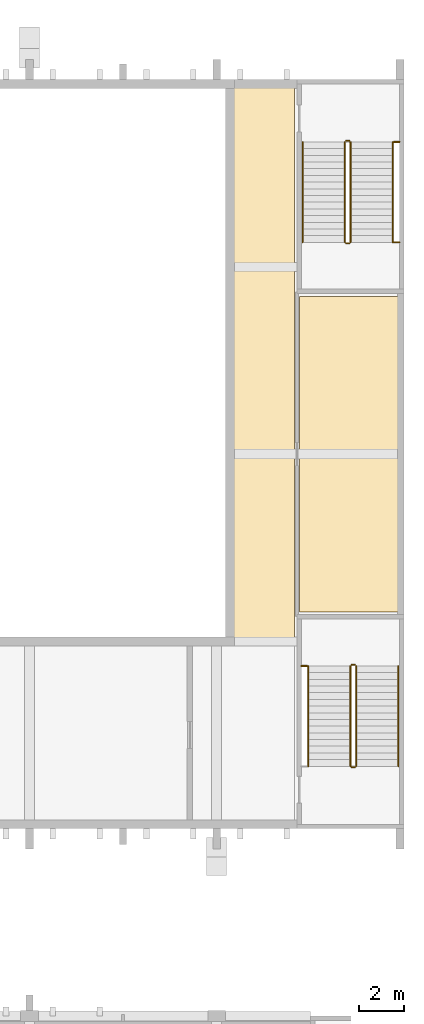
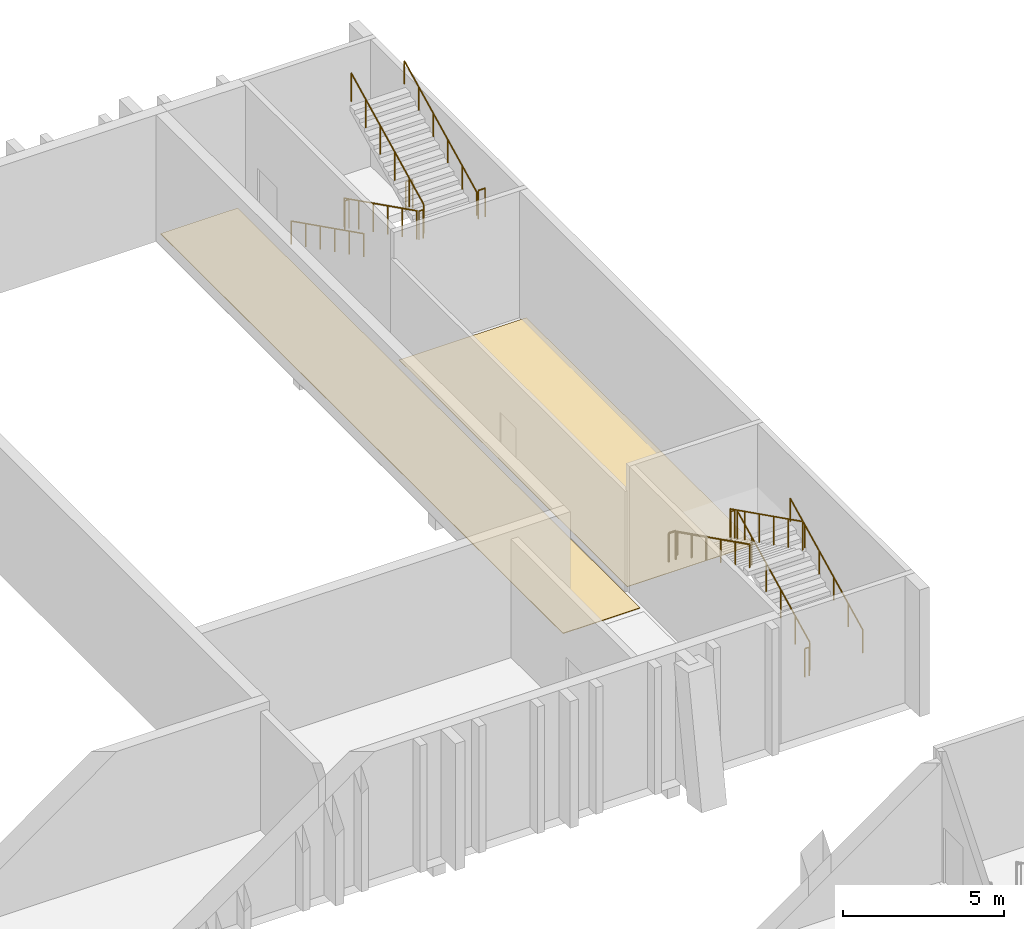
# One storey, part 91 of 91: 15 railings, 2 coverings.
"""IFC4 building model written with IfcOpenShell, lengths in metres."""

from ifc_helpers import new_model, si_unit, direction, frame, origin, origin_2d, place, context, subcontext, project, spatial, polyline, circle, outline, extrude, material, layer, layer_set, type_object, element, save


model = new_model("IFC4")

# Units and contexts
model_context = context("Model", 3, precision=1e-05, world=origin(), true_north=direction((0.0, 1.0)))
body_context = subcontext(model_context, "Body", "Model", "MODEL_VIEW")
ifc_project = project(units=[si_unit("LENGTHUNIT", "METRE"), si_unit("AREAUNIT", "SQUARE_METRE"), si_unit("VOLUMEUNIT", "CUBIC_METRE"), si_unit("PLANEANGLEUNIT", "RADIAN"), si_unit("MASSUNIT", "GRAM", prefix="KILO")], contexts=[model_context])

# Site, building, storey
site_placement = place(None, origin())
site = spatial("IfcSite", under=ifc_project, at=site_placement, CompositionType="ELEMENT")
building_placement = place(site_placement, origin())
building = spatial("IfcBuilding", under=site, at=building_placement, Name="Kiln Court Media Centre", CompositionType="ELEMENT")
storey_placement = place(building_placement, frame((0.0, 0.0, 5.39990234375)))
storey = spatial("IfcBuildingStorey", under=building, at=storey_placement, Name="L01", CompositionType="ELEMENT", Elevation=5.39990234375)

# Coverings
ifc_material_1 = material(Name="Carpet tile")
ifc_layer_1 = layer(ifc_material_1, 0.014892578125)
ifc_layer_set_1 = layer_set([ifc_layer_1], Name="Carpet tile floor finish 15")
covering_type_1 = type_object("IfcCoveringType", Name="Carpet tile floor finish 15", PredefinedType="FLOORING", material=ifc_layer_set_1)
covering_1_placement = place(storey_placement, origin())
element("IfcCovering", 1, at=covering_1_placement, inside=storey, type_object=covering_type_1, Name="Dressing Rooms floor finish", PredefinedType="FLOORING", context=body_context, shape_type="SweptSolid", body=[
    extrude(outline(polyline([(167.8798828125, 43.320068359375), (167.8798828125, 57.47998046875), (163.320068359375, 57.47998046875), (163.320068359375, 43.320068359375), (167.8798828125, 43.320068359375)])), origin(), (0.0, 0.0, 1.0), 0.01513671875),
])
ifc_material_2 = material(Name="Terrazzo")
ifc_layer_2 = layer(ifc_material_2, 0.02490234375)
ifc_layer_set_2 = layer_set([ifc_layer_2], Name="Polished terrazzo floor finish 25")
covering_type_2 = type_object("IfcCoveringType", Name="Polished terrazzo floor finish 25", PredefinedType="FLOORING", material=ifc_layer_set_2)
covering_2_placement = place(storey_placement, origin())
element("IfcCovering", 2, at=covering_2_placement, inside=storey, type_object=covering_type_2, Name="Studio B Corridor floor finish", PredefinedType="FLOORING", context=body_context, shape_type="SweptSolid", body=[
    extrude(outline(polyline([(160.320068359375, 42.1201171875), (163.080078125, 42.1201171875), (163.080078125, 67.080078125), (160.320068359375, 67.080078125), (160.320068359375, 42.1201171875)])), origin(), (0.0, 0.0, 1.0), 0.025146484375),
])

# Railings
ifc_material_3 = material(Name="Steel S275", Category="steel")
railing_type_1 = type_object("IfcRailingType", Name="Steel S275 stair guard 1100", PredefinedType="GUARDRAIL", material=ifc_material_3)
railing_1_placement = place(storey_placement, frame((165.85009765625, 36.39990234375, 0.150146484375)))
element("IfcRailing", 3, at=railing_1_placement, inside=storey, type_object=railing_type_1, Name="ST-14 stair guard", PredefinedType="GUARDRAIL", context=body_context, shape_type="SweptSolid", body=[
    extrude(circle(Radius=0.02392578125, at=origin_2d()), frame((0.0, 0.0, 1.076171875), z_axis=(0.0, 0.894427191, 0.4472135955), x_axis=(-1.0, 0.0, 0.0)), (0.0, 0.0, 1.0), 5.03125),
    extrude(circle(Radius=0.02099609375, at=origin_2d()), origin(), (0.0, 0.0, 1.0), 1.052001953125),
    extrude(circle(Radius=0.02099609375, at=origin_2d()), frame((0.0, 0.89990234375, 0.449951171875)), (0.0, 0.0, 1.0), 1.052001953125),
    extrude(circle(Radius=0.02099609375, at=origin_2d()), frame((0.0, 1.800048828125, 0.89990234375)), (0.0, 0.0, 1.0), 1.052001953125),
    extrude(circle(Radius=0.02099609375, at=origin_2d()), frame((0.0, 2.699951171875, 1.35009765625)), (0.0, 0.0, 1.0), 1.052001953125),
    extrude(circle(Radius=0.02099609375, at=origin_2d()), frame((0.0, 3.60009765625, 1.800048828125)), (0.0, 0.0, 1.0), 1.052001953125),
    extrude(circle(Radius=0.02099609375, at=origin_2d()), frame((0.0, 4.5, 2.25)), (0.0, 0.0, 1.0), 1.052001953125),
])
railing_2_placement = place(storey_placement, frame((165.800048828125, 40.949951171875, 2.400146484375)))
element("IfcRailing", 4, at=railing_2_placement, inside=storey, type_object=railing_type_1, Name="ST-14 stair guard", PredefinedType="GUARDRAIL", context=body_context, shape_type="SweptSolid", body=[
    extrude(circle(Radius=0.02392578125, at=origin_2d()), frame((0.0, 0.0, 1.076171875), z_axis=(-1.0, 0.0, 0.0), x_axis=(0.0, -1.0, 0.0)), (0.0, 0.0, 1.0), 0.150146484375),
    extrude(circle(Radius=0.02099609375, at=origin_2d()), origin(), (0.0, 0.0, 1.0), 1.052001953125),
    extrude(circle(Radius=0.02099609375, at=origin_2d()), frame((-0.150146484375, 0.0, 0.0)), (0.0, 0.0, 1.0), 1.052001953125),
])
railing_3_placement = place(storey_placement, frame((165.60009765625, 40.89990234375, 2.550048828125)))
element("IfcRailing", 5, at=railing_3_placement, inside=storey, type_object=railing_type_1, Name="ST-14 stair guard", PredefinedType="GUARDRAIL", context=body_context, shape_type="SweptSolid", body=[
    extrude(circle(Radius=0.02392578125, at=origin_2d()), frame((0.0, 0.0, 1.076171875), z_axis=(0.0, -0.894427191, 0.4472135955), x_axis=(1.0, 0.0, 0.0)), (0.0, 0.0, 1.0), 5.03125),
    extrude(circle(Radius=0.02099609375, at=origin_2d()), origin(), (0.0, 0.0, 1.0), 1.052001953125),
    extrude(circle(Radius=0.02099609375, at=origin_2d()), frame((0.0, -0.89990234375, 0.449951171875)), (0.0, 0.0, 1.0), 1.052001953125),
    extrude(circle(Radius=0.02099609375, at=origin_2d()), frame((0.0, -1.800048828125, 0.89990234375)), (0.0, 0.0, 1.0), 1.052001953125),
    extrude(circle(Radius=0.02099609375, at=origin_2d()), frame((0.0, -2.699951171875, 1.35009765625)), (0.0, 0.0, 1.0), 1.052001953125),
    extrude(circle(Radius=0.02099609375, at=origin_2d()), frame((0.0, -3.60009765625, 1.800048828125)), (0.0, 0.0, 1.0), 1.052001953125),
    extrude(circle(Radius=0.02099609375, at=origin_2d()), frame((0.0, -4.5, 2.25)), (0.0, 0.0, 1.0), 1.052001953125),
])
railing_4_placement = place(storey_placement, frame((165.800048828125, 36.35009765625, 0.0)))
element("IfcRailing", 6, at=railing_4_placement, inside=storey, type_object=railing_type_1, Name="ST-14 stair guard", PredefinedType="GUARDRAIL", context=body_context, shape_type="SweptSolid", body=[
    extrude(circle(Radius=0.02392578125, at=origin_2d()), frame((0.0, 0.0, 1.076171875), z_axis=(-1.0, 0.0, 0.0), x_axis=(0.0, -1.0, 0.0)), (0.0, 0.0, 1.0), 0.150146484375),
    extrude(circle(Radius=0.02099609375, at=origin_2d()), origin(), (0.0, 0.0, 1.0), 1.052001953125),
    extrude(circle(Radius=0.02099609375, at=origin_2d()), frame((-0.150146484375, 0.0, 0.0)), (0.0, 0.0, 1.0), 1.052001953125),
])
railing_5_placement = place(storey_placement, frame((163.64990234375, 40.89990234375, 2.400146484375)))
element("IfcRailing", 7, at=railing_5_placement, inside=storey, type_object=railing_type_1, Name="ST-14 landing edge guard", PredefinedType="GUARDRAIL", context=body_context, shape_type="SweptSolid", body=[
    extrude(circle(Radius=0.02392578125, at=origin_2d()), frame((0.0, 0.0, 1.076171875), z_axis=(-1.0, 0.0, 0.0), x_axis=(0.0, -1.0, 0.0)), (0.0, 0.0, 1.0), 0.25),
    extrude(circle(Radius=0.02099609375, at=origin_2d()), origin(), (0.0, 0.0, 1.0), 1.052001953125),
    extrude(circle(Radius=0.02099609375, at=origin_2d()), frame((-0.25, 0.0, 0.0)), (0.0, 0.0, 1.0), 1.052001953125),
])
railing_6_placement = place(storey_placement, frame((165.35009765625, 64.39990234375, 0.150146484375)))
element("IfcRailing", 8, at=railing_6_placement, inside=storey, type_object=railing_type_1, Name="ST-15 stair guard", PredefinedType="GUARDRAIL", context=body_context, shape_type="SweptSolid", body=[
    extrude(circle(Radius=0.02392578125, at=origin_2d()), frame((0.0, 0.0, 1.076171875), z_axis=(0.0, -0.894427191, 0.4472135955), x_axis=(1.0, 0.0, 0.0)), (0.0, 0.0, 1.0), 5.03125),
    extrude(circle(Radius=0.02099609375, at=origin_2d()), origin(), (0.0, 0.0, 1.0), 1.052001953125),
    extrude(circle(Radius=0.02099609375, at=origin_2d()), frame((0.0, -0.89990234375, 0.449951171875)), (0.0, 0.0, 1.0), 1.052001953125),
    extrude(circle(Radius=0.02099609375, at=origin_2d()), frame((0.0, -1.800048828125, 0.89990234375)), (0.0, 0.0, 1.0), 1.052001953125),
    extrude(circle(Radius=0.02099609375, at=origin_2d()), frame((0.0, -2.699951171875, 1.35009765625)), (0.0, 0.0, 1.0), 1.052001953125),
    extrude(circle(Radius=0.02099609375, at=origin_2d()), frame((0.0, -3.60009765625, 1.800048828125)), (0.0, 0.0, 1.0), 1.052001953125),
    extrude(circle(Radius=0.02099609375, at=origin_2d()), frame((0.0, -4.5, 2.25)), (0.0, 0.0, 1.0), 1.052001953125),
])
railing_7_placement = place(storey_placement, frame((165.39990234375, 59.85009765625, 2.400146484375)))
element("IfcRailing", 9, at=railing_7_placement, inside=storey, type_object=railing_type_1, Name="ST-15 stair guard", PredefinedType="GUARDRAIL", context=body_context, shape_type="SweptSolid", body=[
    extrude(circle(Radius=0.02392578125, at=origin_2d()), frame((0.0, 0.0, 1.076171875), z_axis=(1.0, 0.0, 0.0), x_axis=(0.0, 1.0, 0.0)), (0.0, 0.0, 1.0), 0.150146484375),
    extrude(circle(Radius=0.02099609375, at=origin_2d()), origin(), (0.0, 0.0, 1.0), 1.052001953125),
    extrude(circle(Radius=0.02099609375, at=origin_2d()), frame((0.150146484375, 0.0, 0.0)), (0.0, 0.0, 1.0), 1.052001953125),
])
railing_8_placement = place(storey_placement, frame((165.60009765625, 59.89990234375, 2.550048828125)))
element("IfcRailing", 10, at=railing_8_placement, inside=storey, type_object=railing_type_1, Name="ST-15 stair guard", PredefinedType="GUARDRAIL", context=body_context, shape_type="SweptSolid", body=[
    extrude(circle(Radius=0.02392578125, at=origin_2d()), frame((0.0, 0.0, 1.076171875), z_axis=(0.0, 0.894427191, 0.4472135955), x_axis=(-1.0, 0.0, 0.0)), (0.0, 0.0, 1.0), 5.03125),
    extrude(circle(Radius=0.02099609375, at=origin_2d()), origin(), (0.0, 0.0, 1.0), 1.052001953125),
    extrude(circle(Radius=0.02099609375, at=origin_2d()), frame((0.0, 0.89990234375, 0.449951171875)), (0.0, 0.0, 1.0), 1.052001953125),
    extrude(circle(Radius=0.02099609375, at=origin_2d()), frame((0.0, 1.800048828125, 0.89990234375)), (0.0, 0.0, 1.0), 1.052001953125),
    extrude(circle(Radius=0.02099609375, at=origin_2d()), frame((0.0, 2.699951171875, 1.35009765625)), (0.0, 0.0, 1.0), 1.052001953125),
    extrude(circle(Radius=0.02099609375, at=origin_2d()), frame((0.0, 3.60009765625, 1.800048828125)), (0.0, 0.0, 1.0), 1.052001953125),
    extrude(circle(Radius=0.02099609375, at=origin_2d()), frame((0.0, 4.5, 2.25)), (0.0, 0.0, 1.0), 1.052001953125),
])
railing_9_placement = place(storey_placement, frame((165.39990234375, 64.449951171875, 0.0)))
element("IfcRailing", 11, at=railing_9_placement, inside=storey, type_object=railing_type_1, Name="ST-15 stair guard", PredefinedType="GUARDRAIL", context=body_context, shape_type="SweptSolid", body=[
    extrude(circle(Radius=0.02392578125, at=origin_2d()), frame((0.0, 0.0, 1.076171875), z_axis=(1.0, 0.0, 0.0), x_axis=(0.0, 1.0, 0.0)), (0.0, 0.0, 1.0), 0.150146484375),
    extrude(circle(Radius=0.02099609375, at=origin_2d()), origin(), (0.0, 0.0, 1.0), 1.052001953125),
    extrude(circle(Radius=0.02099609375, at=origin_2d()), frame((0.150146484375, 0.0, 0.0)), (0.0, 0.0, 1.0), 1.052001953125),
])
for number, where, name in (
    (12, (167.550048828125, 59.89990234375, 2.400146484375), "ST-15 landing edge guard"),
    (13, (167.550048828125, 64.39990234375, 0.0), "ST-15 landing edge guard"),
):
    element("IfcRailing", number, at=place(storey_placement, frame(where)), inside=storey, type_object=railing_type_1, Name=name, PredefinedType="GUARDRAIL", context=body_context, shape_type="SweptSolid", body=[
        extrude(circle(Radius=0.02392578125, at=origin_2d()), frame((0.0, 0.0, 1.076171875), z_axis=(1.0, 0.0, 0.0), x_axis=(0.0, 1.0, 0.0)), (0.0, 0.0, 1.0), 0.25),
        extrude(circle(Radius=0.02099609375, at=origin_2d()), origin(), (0.0, 0.0, 1.0), 1.052001953125),
        extrude(circle(Radius=0.02099609375, at=origin_2d()), frame((0.25, 0.0, 0.0)), (0.0, 0.0, 1.0), 1.052001953125),
    ])
ifc_material_4 = material(Name="Steel S275", Category="steel")
railing_type_2 = type_object("IfcRailingType", Name="Steel S275 stair handrail 900", PredefinedType="HANDRAIL", material=ifc_material_4)
railing_10_placement = place(storey_placement, frame((167.75, 36.39990234375, 0.150146484375)))
element("IfcRailing", 14, at=railing_10_placement, inside=storey, type_object=railing_type_2, Name="ST-14 stair handrail", PredefinedType="HANDRAIL", context=body_context, shape_type="SweptSolid", body=[
    extrude(circle(Radius=0.02392578125, at=origin_2d()), frame((0.0, 0.0, 0.8759765625), z_axis=(0.0, 0.894427191, 0.4472135955), x_axis=(-1.0, 0.0, 0.0)), (0.0, 0.0, 1.0), 5.03125),
    extrude(circle(Radius=0.02099609375, at=origin_2d()), origin(), (0.0, 0.0, 1.0), 0.851806640625),
    extrude(circle(Radius=0.02099609375, at=origin_2d()), frame((0.0, 0.89990234375, 0.449951171875)), (0.0, 0.0, 1.0), 0.851806640625),
    extrude(circle(Radius=0.02099609375, at=origin_2d()), frame((0.0, 1.800048828125, 0.89990234375)), (0.0, 0.0, 1.0), 0.851806640625),
    extrude(circle(Radius=0.02099609375, at=origin_2d()), frame((0.0, 2.699951171875, 1.35009765625)), (0.0, 0.0, 1.0), 0.851806640625),
    extrude(circle(Radius=0.02099609375, at=origin_2d()), frame((0.0, 3.60009765625, 1.800048828125)), (0.0, 0.0, 1.0), 0.851806640625),
    extrude(circle(Radius=0.02099609375, at=origin_2d()), frame((0.0, 4.5, 2.25)), (0.0, 0.0, 1.0), 0.851806640625),
])
for number, where, name in (
    (15, (163.699951171875, 40.89990234375, 2.550048828125), "ST-14 stair handrail"),
    (16, (163.449951171875, 64.39990234375, 0.150146484375), "ST-15 stair handrail"),
):
    element("IfcRailing", number, at=place(storey_placement, frame(where)), inside=storey, type_object=railing_type_2, Name=name, PredefinedType="HANDRAIL", context=body_context, shape_type="SweptSolid", body=[
        extrude(circle(Radius=0.02392578125, at=origin_2d()), frame((0.0, 0.0, 0.8759765625), z_axis=(0.0, -0.894427191, 0.4472135955), x_axis=(1.0, 0.0, 0.0)), (0.0, 0.0, 1.0), 5.03125),
        extrude(circle(Radius=0.02099609375, at=origin_2d()), origin(), (0.0, 0.0, 1.0), 0.851806640625),
        extrude(circle(Radius=0.02099609375, at=origin_2d()), frame((0.0, -0.89990234375, 0.449951171875)), (0.0, 0.0, 1.0), 0.851806640625),
        extrude(circle(Radius=0.02099609375, at=origin_2d()), frame((0.0, -1.800048828125, 0.89990234375)), (0.0, 0.0, 1.0), 0.851806640625),
        extrude(circle(Radius=0.02099609375, at=origin_2d()), frame((0.0, -2.699951171875, 1.35009765625)), (0.0, 0.0, 1.0), 0.851806640625),
        extrude(circle(Radius=0.02099609375, at=origin_2d()), frame((0.0, -3.60009765625, 1.800048828125)), (0.0, 0.0, 1.0), 0.851806640625),
        extrude(circle(Radius=0.02099609375, at=origin_2d()), frame((0.0, -4.5, 2.25)), (0.0, 0.0, 1.0), 0.851806640625),
    ])
railing_11_placement = place(storey_placement, frame((167.5, 59.89990234375, 2.550048828125)))
element("IfcRailing", 17, at=railing_11_placement, inside=storey, type_object=railing_type_2, Name="ST-15 stair handrail", PredefinedType="HANDRAIL", context=body_context, shape_type="SweptSolid", body=[
    extrude(circle(Radius=0.02392578125, at=origin_2d()), frame((0.0, 0.0, 0.8759765625), z_axis=(0.0, 0.894427191, 0.4472135955), x_axis=(-1.0, 0.0, 0.0)), (0.0, 0.0, 1.0), 5.03125),
    extrude(circle(Radius=0.02099609375, at=origin_2d()), origin(), (0.0, 0.0, 1.0), 0.851806640625),
    extrude(circle(Radius=0.02099609375, at=origin_2d()), frame((0.0, 0.89990234375, 0.449951171875)), (0.0, 0.0, 1.0), 0.851806640625),
    extrude(circle(Radius=0.02099609375, at=origin_2d()), frame((0.0, 1.800048828125, 0.89990234375)), (0.0, 0.0, 1.0), 0.851806640625),
    extrude(circle(Radius=0.02099609375, at=origin_2d()), frame((0.0, 2.699951171875, 1.35009765625)), (0.0, 0.0, 1.0), 0.851806640625),
    extrude(circle(Radius=0.02099609375, at=origin_2d()), frame((0.0, 3.60009765625, 1.800048828125)), (0.0, 0.0, 1.0), 0.851806640625),
    extrude(circle(Radius=0.02099609375, at=origin_2d()), frame((0.0, 4.5, 2.25)), (0.0, 0.0, 1.0), 0.851806640625),
])

save(model, "model.ifc")
